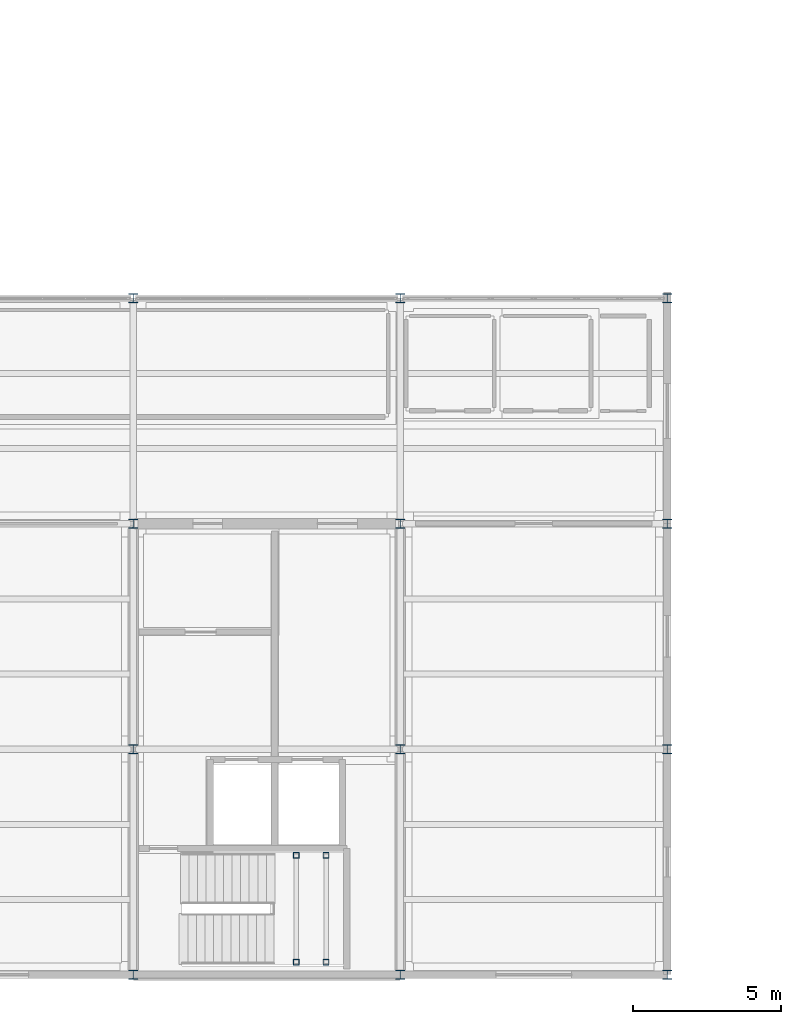
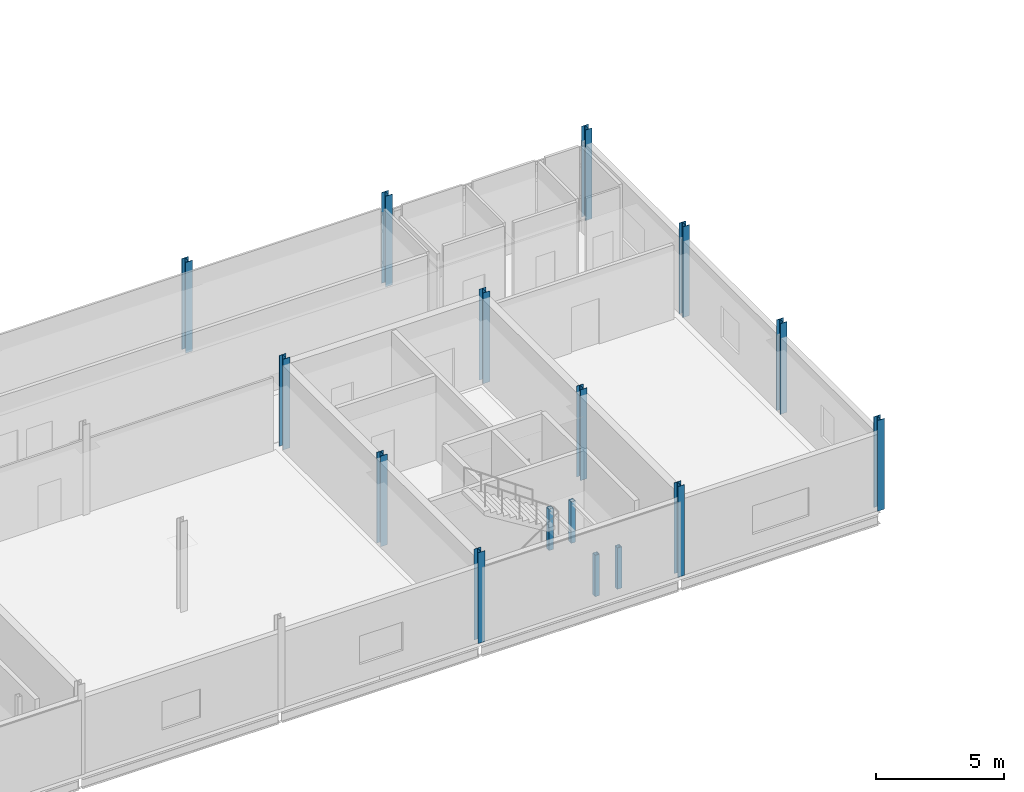
# One storey, part 2 of 48: 16 columns.
"""IFC4 building model written with IfcOpenShell, lengths in metres."""

from ifc_helpers import new_model, si_unit, direction, frame, origin, origin_2d, place, context, subcontext, project, spatial, hollow_rectangle, i_section, extrude, material, material_profile, profile_set, type_object, element, save


model = new_model("IFC4")

# Units and contexts
model_context = context("Model", 3, precision=1e-05, world=origin(), true_north=direction((0.0, 1.0)))
body_context = subcontext(model_context, "Body", "Model", "MODEL_VIEW")
ifc_project = project(units=[si_unit("LENGTHUNIT", "METRE"), si_unit("AREAUNIT", "SQUARE_METRE"), si_unit("VOLUMEUNIT", "CUBIC_METRE"), si_unit("PLANEANGLEUNIT", "RADIAN"), si_unit("MASSUNIT", "GRAM", prefix="KILO")], contexts=[model_context])

# Site, building, storey
site_placement = place(None, origin())
site = spatial("IfcSite", under=ifc_project, at=site_placement, CompositionType="ELEMENT")
building_placement = place(site_placement, origin())
building = spatial("IfcBuilding", under=site, at=building_placement, Name="Caisbarro Railhouse Central Library", CompositionType="ELEMENT")
storey_placement = place(building_placement, frame((0.0, 0.0, 18.0)))
storey = spatial("IfcBuildingStorey", under=building, at=storey_placement, Name="L04", CompositionType="ELEMENT", Elevation=18.0)

# Columns
ifc_material = material(Name="Steel ASTM A572 Grade 50", Category="steel")
ifc_material_profile_1 = material_profile(ifc_material, i_section(OverallWidth=0.305908203125, OverallDepth=0.31103515625, WebThickness=0.010986328125, FlangeThickness=0.01708984375, FilletRadius=0.014892578125, at=origin_2d()), Name="W310X107.0")
ifc_profile_set_1 = profile_set([ifc_material_profile_1], Name="Steel ASTM A572 Grade 50")
column_type_1 = type_object("IfcColumnType", Name="COL-C06", PredefinedType="COLUMN", material=ifc_profile_set_1)
for number, where, z_axis, x_axis, name in (
    (1, (90.0, 0.0, 0.0), (0.0, 0.0, 1.0), (1.0, 0.0, 0.0), "C06 column L04 (90.0,0.0)"),
    (2, (90.0, 7.60009765625, 0.0), (0.0, 0.0, 1.0), (1.0, 0.0, 0.0), "C06 column L04 (90.0,7.6)"),
    (3, (90.0, 15.199951171875, 0.0), (0.0, 0.0, 1.0), (1.0, 0.0, 0.0), "C06 column L04 (90.0,15.2)"),
    (4, (90.0, 22.800048828125, 0.0), (0.0, 0.0, 1.0), (1.0, 0.0, 0.0), "C06 column L04 (90.0,22.8)"),
    (5, (99.0, 0.0, 0.0), (0.0, 0.0, 1.0), (1.0, 0.0, 0.0), "C06 column L04 (99.0,0.0)"),
    (6, (99.0, 7.60009765625, 0.0), (0.0, 0.0, 1.0), (1.0, 0.0, 0.0), "C06 column L04 (99.0,7.6)"),
    (7, (99.0, 15.199951171875, 0.0), (0.0, 0.0, 1.0), (1.0, 0.0, 0.0), "C06 column L04 (99.0,15.2)"),
    (8, (99.0, 22.800048828125, 0.0), (0.0, 0.0, 1.0), (1.0, 0.0, 0.0), "C06 column L04 (99.0,22.8)"),
    (9, (108.0, 0.0, 0.0), (0.0, 0.0, 1.0), (1.0, 0.0, 0.0), "C06 column L04 (108.0,0.0)"),
    (10, (108.0, 7.60009765625, 0.0), (0.0, 0.0, 1.0), (1.0, 0.0, 0.0), "C06 column L04 (108.0,7.6)"),
    (11, (108.0, 15.199951171875, 0.0), (0.0, 0.0, 1.0), (1.0, 0.0, 0.0), "C06 column L04 (108.0,15.2)"),
    (12, (108.0, 22.800048828125, 0.0), (0.0, 0.0, 1.0), (1.0, 0.0, 0.0), "C06 column L04 (108.0,22.8)"),
):
    element("IfcColumn", number, at=place(storey_placement, frame(where, z_axis=z_axis, x_axis=x_axis)), inside=storey, type_object=column_type_1, Name=name, PredefinedType="COLUMN", context=body_context, shape_type="SweptSolid", body=[
        extrude(i_section(OverallWidth=0.305908203125, OverallDepth=0.31103515625, WebThickness=0.010986328125, FlangeThickness=0.01708984375, FilletRadius=0.014892578125, at=origin_2d()), origin(), (0.0, 0.0, 1.0), 4.320068359375),
    ])
ifc_material_profile_2 = material_profile(ifc_material, hollow_rectangle(XDim=0.199951171875, YDim=0.199951171875, WallThickness=0.012451171875, at=origin_2d()), Name="HSS200X200X12.5")
ifc_profile_set_2 = profile_set([ifc_material_profile_2], Name="Steel ASTM A572 Grade 50")
column_type_2 = type_object("IfcColumnType", Name="COL-C10", PredefinedType="COLUMN", material=ifc_profile_set_2)
for number, where, z_axis, x_axis, name in (
    (13, (95.5, 0.419921875, 0.0), (0.0, 0.0, 1.0), (1.0, 0.0, 0.0), "C10 Stair Landing Post K2 L04.1"),
    (14, (95.5, 4.030029296875, 0.0), (0.0, 0.0, 1.0), (1.0, 0.0, 0.0), "C10 Stair Landing Post K2 L04.2"),
    (15, (96.5, 0.419921875, 0.0), (0.0, 0.0, 1.0), (1.0, 0.0, 0.0), "C10 Stair Landing Post K2 L04.3"),
    (16, (96.5, 4.030029296875, 0.0), (0.0, 0.0, 1.0), (1.0, 0.0, 0.0), "C10 Stair Landing Post K2 L04.4"),
):
    element("IfcColumn", number, at=place(storey_placement, frame(where, z_axis=z_axis, x_axis=x_axis)), inside=storey, type_object=column_type_2, Name=name, PredefinedType="COLUMN", context=body_context, shape_type="SweptSolid", body=[
        extrude(hollow_rectangle(XDim=0.199951171875, YDim=0.199951171875, WallThickness=0.012451171875, at=origin_2d()), origin(), (0.0, 0.0, 1.0), 1.969970703125),
    ])

save(model, "model.ifc")
